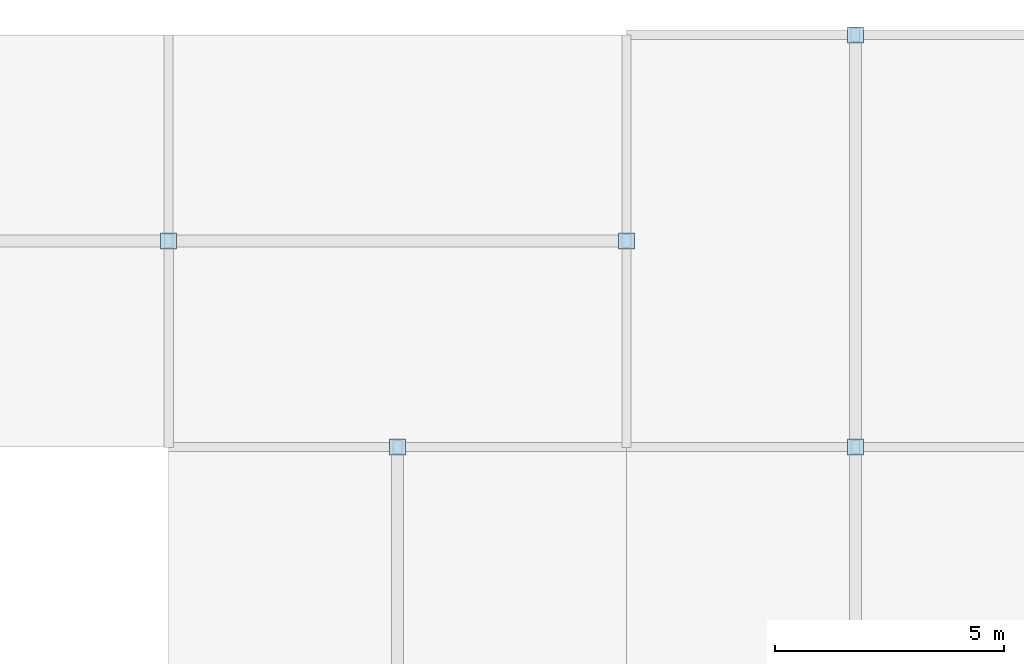
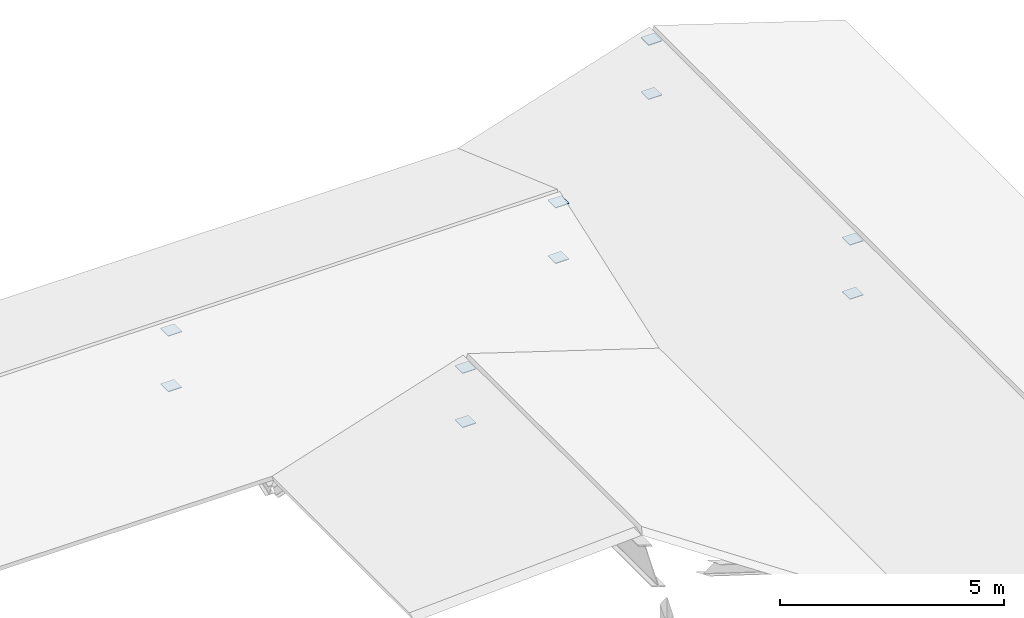
# One storey, part 92 of 110: 10 plates.
"""IFC4 building model written with IfcOpenShell, lengths in metres."""

from ifc_helpers import new_model, si_unit, direction, frame, origin, origin_2d, place, context, subcontext, project, spatial, rectangle, extrude, material, layer, layer_set, type_object, element, save


model = new_model("IFC4")

# Units and contexts
model_context = context("Model", 3, precision=1e-05, world=origin(), true_north=direction((0.0, 1.0)))
body_context = subcontext(model_context, "Body", "Model", "MODEL_VIEW")
ifc_project = project(units=[si_unit("LENGTHUNIT", "METRE"), si_unit("AREAUNIT", "SQUARE_METRE"), si_unit("VOLUMEUNIT", "CUBIC_METRE"), si_unit("PLANEANGLEUNIT", "RADIAN"), si_unit("MASSUNIT", "GRAM", prefix="KILO")], contexts=[model_context])

# Site, building, storey
site_placement = place(None, origin())
site = spatial("IfcSite", under=ifc_project, at=site_placement, CompositionType="ELEMENT")
building_placement = place(site_placement, origin())
building = spatial("IfcBuilding", under=site, at=building_placement, Name="Miravela Opera House", CompositionType="ELEMENT")
storey_placement = place(building_placement, frame((0.0, 0.0, 13.60009765625)))
storey = spatial("IfcBuildingStorey", under=building, at=storey_placement, Name="L03", CompositionType="ELEMENT", Elevation=13.60009765625)

# Plates
ifc_material = material(Name="Structural steel ASTM A572 Gr. 50", Category="steel")
ifc_layer = layer(ifc_material, 0.02001953125)
ifc_layer_set = layer_set([ifc_layer])
plate_type = type_object("IfcPlateType", Name="STR-PL-CAP-350X350X20", PredefinedType="SHEET", material=ifc_layer_set)
for number, where, z_axis, x_axis, name in (
    (1, (159.0, 103.0, -0.26416015625), (0.0, 0.0, 1.0), (1.0, 0.0, 0.0), "HSS Welded End Cap Plate 118"),
    (2, (159.0, 103.0, 1.2138671875), (0.0, 0.0, 1.0), (1.0, 0.0, 0.0), "HSS Welded End Cap Plate 119"),
    (3, (159.0, 112.0, -0.26416015625), (0.0, 0.0, 1.0), (1.0, 0.0, 0.0), "HSS Welded End Cap Plate 120"),
    (4, (159.0, 112.0, 1.2138671875), (0.0, 0.0, 1.0), (1.0, 0.0, 0.0), "HSS Welded End Cap Plate 121"),
    (5, (149.0, 103.0, -0.26416015625), (0.0, 0.0, 1.0), (1.0, 0.0, 0.0), "HSS Welded End Cap Plate 158"),
    (6, (149.0, 103.0, 1.2138671875), (0.0, 0.0, 1.0), (1.0, 0.0, 0.0), "HSS Welded End Cap Plate 159"),
    (7, (144.0, 107.5, -0.26416015625), (0.0, 0.0, 1.0), (1.0, 0.0, 0.0), "HSS Welded End Cap Plate 166"),
    (8, (144.0, 107.5, 1.25390625), (0.0, 0.0, 1.0), (1.0, 0.0, 0.0), "HSS Welded End Cap Plate 167"),
    (9, (154.0, 107.5, -0.26416015625), (0.0, 0.0, 1.0), (1.0, 0.0, 0.0), "HSS Welded End Cap Plate 168"),
    (10, (154.0, 107.5, 1.25390625), (0.0, 0.0, 1.0), (1.0, 0.0, 0.0), "HSS Welded End Cap Plate 169"),
):
    element("IfcPlate", number, at=place(storey_placement, frame(where, z_axis=z_axis, x_axis=x_axis)), inside=storey, type_object=plate_type, Name=name, PredefinedType="SHEET", context=body_context, shape_type="SweptSolid", body=[
        extrude(rectangle(XDim=0.35009765625, YDim=0.35009765625, at=origin_2d()), origin(), (0.0, 0.0, 1.0), 0.02001953125),
    ])

save(model, "model.ifc")
